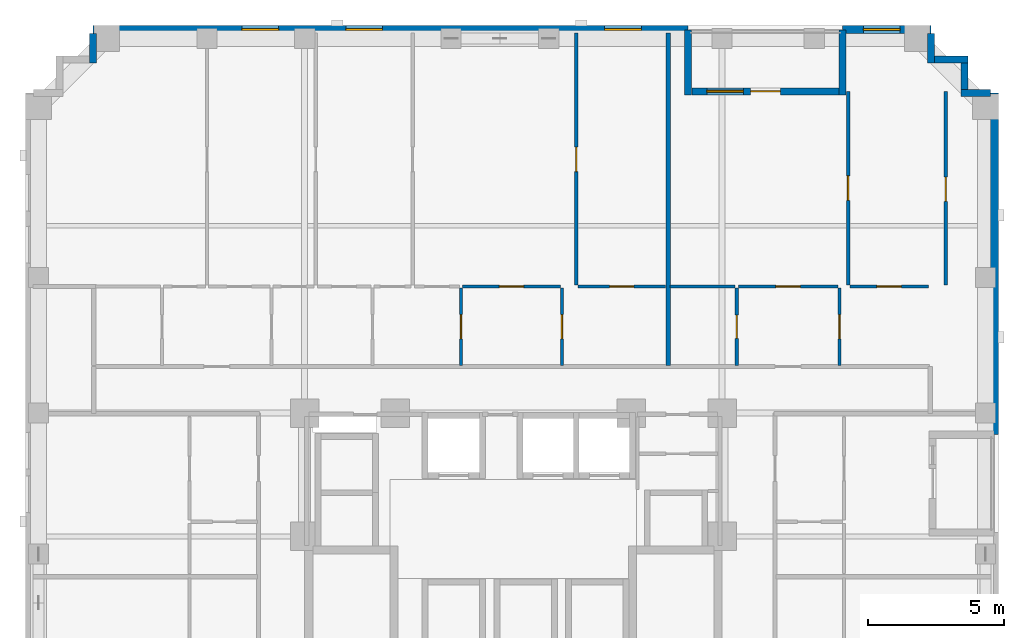
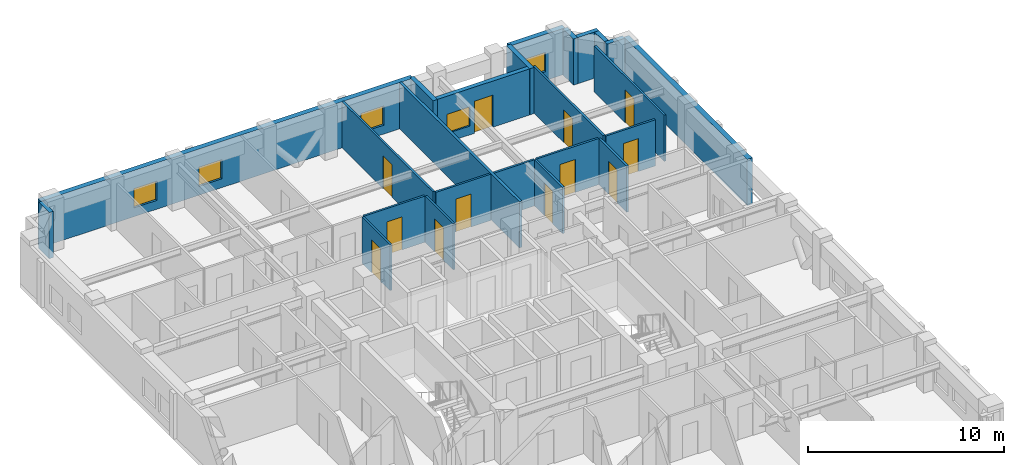
# One storey, part 8 of 12: 24 walls, 12 doors, 5 windows, 17 openings.
"""IFC4 building model written with IfcOpenShell, lengths in metres."""

from ifc_helpers import new_model, si_unit, derived_unit, direction, frame, frame_2d, origin, place, context, subcontext, project, spatial, rectangle, extrude, material, layer, layer_set, type_object, element, fill, save


model = new_model("IFC4")

# Units and contexts
model_context = context("Model", 3, precision=1e-05, world=origin(), true_north=direction((0.0, 1.0)))
body_context = subcontext(model_context, "Body", "Model", "MODEL_VIEW")
ifc_project = project(units=[si_unit("LENGTHUNIT", "METRE"), si_unit("AREAUNIT", "SQUARE_METRE"), si_unit("VOLUMEUNIT", "CUBIC_METRE"), si_unit("PLANEANGLEUNIT", "RADIAN"), si_unit("MASSUNIT", "GRAM", prefix="KILO"), derived_unit("THERMALTRANSMITTANCEUNIT", [(si_unit("MASSUNIT", "GRAM", prefix="KILO"), 1), (si_unit("TIMEUNIT", "SECOND"), -3), (si_unit("THERMODYNAMICTEMPERATUREUNIT", "KELVIN"), -1)])], contexts=[model_context])

# Site, building, storey
site_placement = place(None, origin())
site = spatial("IfcSite", under=ifc_project, at=site_placement, CompositionType="ELEMENT")
building_placement = place(site_placement, origin())
building = spatial("IfcBuilding", under=site, at=building_placement, Name="Korrvale Station Residences", CompositionType="ELEMENT")
storey_placement = place(building_placement, frame((0.0, 0.0, 116.699951171875)))
storey = spatial("IfcBuildingStorey", under=building, at=storey_placement, Name="L33", CompositionType="ELEMENT", Elevation=116.699951171875)

# Wall
ifc_material_1 = material(Name="Precast concrete C45/55", Category="concrete")
ifc_layer_1 = layer(ifc_material_1, 0.260009765625, Name="Precast concrete C45/55")
ifc_layer_set_1 = layer_set([ifc_layer_1], Name="Precast concrete C45/55")
wall_type_1 = type_object("IfcWallType", Name="WAL-EXT-LOG260", PredefinedType="SOLIDWALL", material=ifc_layer_set_1)
wall_1_placement = place(storey_placement, frame((31.949951171875, 43.139892578125, 0.0), z_axis=(0.0, 0.0, 1.0), x_axis=(0.0, -1.0, 0.0)))
element("IfcWall", 1, at=wall_1_placement, inside=storey, type_object=wall_type_1, Name="L33 Recessed Loggia Wall BAL-L33-N1-L", PredefinedType="SOLIDWALL", context=body_context, shape_type="SweptSolid", body=[
    extrude(rectangle(XDim=2.39990234375, YDim=0.260009765625, at=frame_2d((1.199951171875, 0.0))), origin(), (0.0, 0.0, 1.0), 2.880126953125),
])

# Wall, openings, door, window
wall_2_placement = place(storey_placement, frame((32.083984375, 40.8701171875, 0.0), z_axis=(0.0, 0.0, 1.0), x_axis=(1.0, 0.0, 0.0)))
wall_2 = element("IfcWall", 2, at=wall_2_placement, inside=storey, type_object=wall_type_1, Name="L33 Recessed Loggia Wall BAL-L33-N1-B", PredefinedType="SOLIDWALL", context=body_context, shape_type="SweptSolid", body=[
    extrude(rectangle(XDim=5.43212890625, YDim=0.260009765625, at=frame_2d((2.716064453125, 0.0))), origin(), (0.0, 0.0, 1.0), 2.880126953125),
])
opening_1_placement = place(wall_2_placement, frame((2.166015625, 0.0, 0.0)))
opening_1 = element("IfcOpeningElement", 3, at=opening_1_placement, cuts=wall_2, Name="Opening BD-01", PredefinedType="OPENING", context=body_context, shape_type="SweptSolid", body=[
    extrude(rectangle(XDim=1.10009765625, YDim=2.0, at=frame_2d((0.550048828125, 1.0))), frame((0.0, 0.14013671875, 0.0), z_axis=(0.0, -1.0, 0.0), x_axis=(1.0, 0.0, 0.0)), (0.0, 0.0, 1.0), 0.280029296875),
])
opening_2_placement = place(wall_2_placement, frame((0.555908203125, 0.0, 0.550048828125)))
opening_2 = element("IfcOpeningElement", 4, at=opening_2_placement, cuts=wall_2, Name="Opening W-10", PredefinedType="OPENING", context=body_context, shape_type="SweptSolid", body=[
    extrude(rectangle(XDim=1.35009765625, YDim=1.199951171875, at=frame_2d((0.675048828125, 0.60009765625))), frame((0.0, 0.14013671875, 0.0), z_axis=(0.0, -1.0, 0.0), x_axis=(1.0, 0.0, 0.0)), (0.0, 0.0, 1.0), 0.280029296875),
])
ifc_material_2 = material(Name="Exterior thermally broken aluminium glazed balcony door", Category="aluminium")
door_type_1 = type_object("IfcDoorType", Name="DR-EXT-BAL", OperationType="NOTDEFINED", PredefinedType="DOOR", material=ifc_material_2)
door_1_placement = place(opening_1_placement, origin())
door_1 = element("IfcDoor", 5, at=door_1_placement, inside=storey, type_object=door_type_1, Name="L33 Loggia Balcony Door BAL-L33-N1", OperationType="SINGLE_SWING_LEFT", OverallHeight=2.0, OverallWidth=1.10009765625, PredefinedType="DOOR", context=body_context, shape_type="SweptSolid", body=[
    extrude(rectangle(XDim=1.10009765625, YDim=2.0, at=frame_2d((0.550048828125, 1.0))), frame((0.0, 0.02490234375, 0.0), z_axis=(0.0, -1.0, 0.0), x_axis=(1.0, 0.0, 0.0)), (0.0, 0.0, 1.0), 0.050048828125),
])
fill(opening_1, door_1)
ifc_material_3 = material(Name="Thermally broken aluminium frame with triple low-e glazing", Category="aluminium")
window_type = type_object("IfcWindowType", Name="WIN-W10", PartitioningType="SINGLE_PANEL", PredefinedType="WINDOW", material=ifc_material_3)
window_1_placement = place(opening_2_placement, origin())
window_1 = element("IfcWindow", 6, at=window_1_placement, inside=storey, type_object=window_type, Name="L33 Punched Window 17", OverallHeight=1.199951171875, OverallWidth=1.35009765625, PartitioningType="SINGLE_PANEL", PredefinedType="WINDOW", context=body_context, shape_type="SweptSolid", body=[
    extrude(rectangle(XDim=1.35009765625, YDim=1.199951171875, at=frame_2d((0.675048828125, 0.60009765625))), frame((0.0, 0.030029296875, 0.0), z_axis=(0.0, -1.0, 0.0), x_axis=(1.0, 0.0, 0.0)), (0.0, 0.0, 1.0), 0.06005859375),
])
fill(opening_2, window_1)

# Walls
wall_3_placement = place(storey_placement, frame((37.64990234375, 40.739990234375, 0.0), z_axis=(0.0, 0.0, 1.0), x_axis=(0.0, 1.0, 0.0)))
element("IfcWall", 7, at=wall_3_placement, inside=storey, type_object=wall_type_1, Name="L33 Recessed Loggia Wall BAL-L33-N1-R", PredefinedType="SOLIDWALL", context=body_context, shape_type="SweptSolid", body=[
    extrude(rectangle(XDim=2.39990234375, YDim=0.260009765625, at=frame_2d((1.199951171875, 0.0))), origin(), (0.0, 0.0, 1.0), 2.880126953125),
])
for number, where, z_axis, x_axis, name in (
    (8, (10.0, 41.919921875, 0.0), (0.0, 0.0, 1.0), (0.0, 1.0, 0.0), "L33 Serrated Corner Precast Step NW-4"),
    (9, (40.89990234375, 42.998046875, 0.0), (0.0, 0.0, 1.0), (0.0, -1.0, 0.0), "L33 Serrated Corner Precast Step NE-1"),
):
    element("IfcWall", number, at=place(storey_placement, frame(where, z_axis=z_axis, x_axis=x_axis)), inside=storey, type_object=wall_type_1, Name=name, PredefinedType="SOLIDWALL", context=body_context, shape_type="SweptSolid", body=[
        extrude(rectangle(XDim=1.078125, YDim=0.260009765625, at=frame_2d((0.5390625, 0.0))), origin(), (0.0, 0.0, 1.0), 2.880126953125),
    ])
wall_4_placement = place(storey_placement, frame((41.031982421875, 42.050048828125, 0.0), z_axis=(0.0, 0.0, 1.0), x_axis=(1.0, 0.0, 0.0)))
element("IfcWall", 10, at=wall_4_placement, inside=storey, type_object=wall_type_1, Name="L33 Serrated Corner Precast Step NE-2", PredefinedType="SOLIDWALL", context=body_context, shape_type="SweptSolid", body=[
    extrude(rectangle(XDim=1.248046875, YDim=0.260009765625, at=frame_2d((0.6240234375, 0.0))), origin(), (0.0, 0.0, 1.0), 2.880126953125),
])
wall_5_placement = place(storey_placement, frame((42.14990234375, 41.91796875, 0.0), z_axis=(0.0, 0.0, 1.0), x_axis=(0.0, -1.0, 0.0)))
element("IfcWall", 11, at=wall_5_placement, inside=storey, type_object=wall_type_1, Name="L33 Serrated Corner Precast Step NE-3", PredefinedType="SOLIDWALL", context=body_context, shape_type="SweptSolid", body=[
    extrude(rectangle(XDim=0.986083984375, YDim=0.260009765625, at=frame_2d((0.4931640625, 0.0))), origin(), (0.0, 0.0, 1.0), 2.880126953125),
])
wall_6_placement = place(storey_placement, frame((42.02001953125, 40.800048828125, 0.0), z_axis=(0.0, 0.0, 1.0), x_axis=(1.0, 0.0, 0.0)))
element("IfcWall", 12, at=wall_6_placement, inside=storey, type_object=wall_type_1, Name="L33 Serrated Corner Precast Step NE-4", PredefinedType="SOLIDWALL", context=body_context, shape_type="SweptSolid", body=[
    extrude(rectangle(XDim=1.077880859375, YDim=0.260009765625, at=frame_2d((0.5390625, 0.0))), origin(), (0.0, 0.0, 1.0), 2.880126953125),
])

# Wall, openings, windows
ifc_layer_2 = layer(ifc_material_1, 0.300048828125, Name="Precast concrete C45/55")
ifc_layer_set_2 = layer_set([ifc_layer_2], Name="Precast concrete C45/55")
wall_type_2 = type_object("IfcWallType", Name="WAL-EXT-PC300", PredefinedType="SOLIDWALL", material=ifc_layer_set_2)
wall_7_placement = place(storey_placement, frame((10.0, 43.14990234375, 0.0), z_axis=(0.0, 0.0, 1.0), x_axis=(1.0, 0.0, 0.0)))
wall_7 = element("IfcWall", 13, at=wall_7_placement, inside=storey, type_object=wall_type_2, Name="L33 North Exterior Precast Wall 1", PredefinedType="SOLIDWALL", context=body_context, shape_type="SweptSolid", body=[
    extrude(rectangle(XDim=21.949951171875, YDim=0.300048828125, at=frame_2d((10.97509765625, 0.0))), origin(), (0.0, 0.0, 1.0), 2.880126953125),
])
opening_3_placement = place(wall_7_placement, frame((5.489013671875, 0.0, 0.550048828125)))
opening_3 = element("IfcOpeningElement", 14, at=opening_3_placement, cuts=wall_7, Name="Opening W-10", PredefinedType="OPENING", context=body_context, shape_type="SweptSolid", body=[
    extrude(rectangle(XDim=1.35009765625, YDim=1.199951171875, at=frame_2d((0.675048828125, 0.60009765625))), frame((0.0, 0.16015625, 0.0), z_axis=(0.0, -1.0, 0.0), x_axis=(1.0, 0.0, 0.0)), (0.0, 0.0, 1.0), 0.320068359375),
])
opening_4_placement = place(wall_7_placement, frame((9.322021484375, 0.0, 0.550048828125)))
opening_4 = element("IfcOpeningElement", 15, at=opening_4_placement, cuts=wall_7, Name="Opening W-10", PredefinedType="OPENING", context=body_context, shape_type="SweptSolid", body=[
    extrude(rectangle(XDim=1.35009765625, YDim=1.199951171875, at=frame_2d((0.675048828125, 0.60009765625))), frame((0.0, 0.16015625, 0.0), z_axis=(0.0, -1.0, 0.0), x_axis=(1.0, 0.0, 0.0)), (0.0, 0.0, 1.0), 0.320068359375),
])
opening_5_placement = place(wall_7_placement, frame((18.868896484375, 0.0, 0.550048828125)))
opening_5 = element("IfcOpeningElement", 16, at=opening_5_placement, cuts=wall_7, Name="Opening W-10", PredefinedType="OPENING", context=body_context, shape_type="SweptSolid", body=[
    extrude(rectangle(XDim=1.35009765625, YDim=1.199951171875, at=frame_2d((0.675048828125, 0.60009765625))), frame((0.0, 0.16015625, 0.0), z_axis=(0.0, -1.0, 0.0), x_axis=(1.0, 0.0, 0.0)), (0.0, 0.0, 1.0), 0.320068359375),
])
window_2_placement = place(opening_3_placement, origin())
window_2 = element("IfcWindow", 17, at=window_2_placement, inside=storey, type_object=window_type, Name="L33 Punched Window 14", OverallHeight=1.199951171875, OverallWidth=1.35009765625, PartitioningType="SINGLE_PANEL", PredefinedType="WINDOW", context=body_context, shape_type="SweptSolid", body=[
    extrude(rectangle(XDim=1.35009765625, YDim=1.199951171875, at=frame_2d((0.675048828125, 0.60009765625))), frame((0.0, 0.030029296875, 0.0), z_axis=(0.0, -1.0, 0.0), x_axis=(1.0, 0.0, 0.0)), (0.0, 0.0, 1.0), 0.06005859375),
])
fill(opening_3, window_2)
window_3_placement = place(opening_4_placement, origin())
window_3 = element("IfcWindow", 18, at=window_3_placement, inside=storey, type_object=window_type, Name="L33 Punched Window 15", OverallHeight=1.199951171875, OverallWidth=1.35009765625, PartitioningType="SINGLE_PANEL", PredefinedType="WINDOW", context=body_context, shape_type="SweptSolid", body=[
    extrude(rectangle(XDim=1.35009765625, YDim=1.199951171875, at=frame_2d((0.675048828125, 0.60009765625))), frame((0.0, 0.030029296875, 0.0), z_axis=(0.0, -1.0, 0.0), x_axis=(1.0, 0.0, 0.0)), (0.0, 0.0, 1.0), 0.06005859375),
])
fill(opening_4, window_3)
window_4_placement = place(opening_5_placement, origin())
window_4 = element("IfcWindow", 19, at=window_4_placement, inside=storey, type_object=window_type, Name="L33 Punched Window 16", OverallHeight=1.199951171875, OverallWidth=1.35009765625, PartitioningType="SINGLE_PANEL", PredefinedType="WINDOW", context=body_context, shape_type="SweptSolid", body=[
    extrude(rectangle(XDim=1.35009765625, YDim=1.199951171875, at=frame_2d((0.675048828125, 0.60009765625))), frame((0.0, 0.030029296875, 0.0), z_axis=(0.0, -1.0, 0.0), x_axis=(1.0, 0.0, 0.0)), (0.0, 0.0, 1.0), 0.06005859375),
])
fill(opening_5, window_4)

# Wall, opening, window
wall_8_placement = place(storey_placement, frame((37.64990234375, 43.14990234375, 0.0), z_axis=(0.0, 0.0, 1.0), x_axis=(1.0, 0.0, 0.0)))
wall_8 = element("IfcWall", 20, at=wall_8_placement, inside=storey, type_object=wall_type_2, Name="L33 North Exterior Precast Wall 2", PredefinedType="SOLIDWALL", context=body_context, shape_type="SweptSolid", body=[
    extrude(rectangle(XDim=3.25, YDim=0.300048828125, at=frame_2d((1.625, 0.0))), origin(), (0.0, 0.0, 1.0), 2.880126953125),
])
opening_6_placement = place(wall_8_placement, frame((0.764892578125, 0.0, 0.550048828125)))
opening_6 = element("IfcOpeningElement", 21, at=opening_6_placement, cuts=wall_8, Name="Opening W-10", PredefinedType="OPENING", context=body_context, shape_type="SweptSolid", body=[
    extrude(rectangle(XDim=1.35009765625, YDim=1.199951171875, at=frame_2d((0.675048828125, 0.60009765625))), frame((0.0, 0.16015625, 0.0), z_axis=(0.0, -1.0, 0.0), x_axis=(1.0, 0.0, 0.0)), (0.0, 0.0, 1.0), 0.320068359375),
])
window_5_placement = place(opening_6_placement, origin())
window_5 = element("IfcWindow", 22, at=window_5_placement, inside=storey, type_object=window_type, Name="L33 Punched Window 18", OverallHeight=1.199951171875, OverallWidth=1.35009765625, PartitioningType="SINGLE_PANEL", PredefinedType="WINDOW", context=body_context, shape_type="SweptSolid", body=[
    extrude(rectangle(XDim=1.35009765625, YDim=1.199951171875, at=frame_2d((0.675048828125, 0.60009765625))), frame((0.0, 0.030029296875, 0.0), z_axis=(0.0, -1.0, 0.0), x_axis=(1.0, 0.0, 0.0)), (0.0, 0.0, 1.0), 0.06005859375),
])
fill(opening_6, window_5)

# Wall
wall_9_placement = place(storey_placement, frame((43.25, 40.800048828125, 0.0), z_axis=(0.0, 0.0, 1.0), x_axis=(0.0, -1.0, 0.0)))
element("IfcWall", 23, at=wall_9_placement, inside=storey, type_object=wall_type_2, Name="L33 East Exterior Precast Wall 1", PredefinedType="SOLIDWALL", context=body_context, shape_type="SweptSolid", body=[
    extrude(rectangle(XDim=12.60009765625, YDim=0.300048828125, at=frame_2d((6.300048828125, 0.0))), origin(), (0.0, 0.0, 1.0), 2.880126953125),
])

# Wall, opening, door
ifc_material_4 = material(Name="Acoustic steel-stud gypsum board partition", Category="steel")
ifc_layer_3 = layer(ifc_material_4, 0.1201171875, Name="Acoustic steel-stud gypsum board partition")
ifc_layer_set_3 = layer_set([ifc_layer_3], Name="Acoustic steel-stud gypsum board partition")
wall_type_3 = type_object("IfcWallType", Name="WAL-PART-125", PredefinedType="PARTITIONING", material=ifc_layer_set_3)
wall_10_placement = place(storey_placement, frame((23.570068359375, 30.760009765625, 0.0), z_axis=(0.0, 0.0, 1.0), x_axis=(0.0, 1.0, 0.0)))
wall_10 = element("IfcWall", 24, at=wall_10_placement, inside=storey, type_object=wall_type_3, Name="L33 Suite Partition U03-V34", PredefinedType="PARTITIONING", context=body_context, shape_type="SweptSolid", body=[
    extrude(rectangle(XDim=2.85009765625, YDim=0.1201171875, at=frame_2d((1.425048828125, 0.0))), origin(), (0.0, 0.0, 1.0), 2.880126953125),
])
opening_7_placement = place(wall_10_placement, frame((0.97509765625, 0.0, 0.0)))
opening_7 = element("IfcOpeningElement", 25, at=opening_7_placement, cuts=wall_10, Name="Opening DI-900", PredefinedType="OPENING", context=body_context, shape_type="SweptSolid", body=[
    extrude(rectangle(XDim=0.89990234375, YDim=2.050048828125, at=frame_2d((0.449951171875, 1.02490234375))), frame((0.0, 0.070068359375, 0.0), z_axis=(0.0, -1.0, 0.0), x_axis=(1.0, 0.0, 0.0)), (0.0, 0.0, 1.0), 0.14013671875),
])
ifc_material_5 = material(Name="Painted solid-core timber interior room door", Category="wood")
door_type_2 = type_object("IfcDoorType", Name="DR-INT-900", OperationType="NOTDEFINED", PredefinedType="DOOR", material=ifc_material_5)
door_2_placement = place(opening_7_placement, origin())
door_2 = element("IfcDoor", 26, at=door_2_placement, inside=storey, type_object=door_type_2, Name="L33 Apartment 1BR L33-U03 Storage Closet 2 Door", OperationType="SINGLE_SWING_LEFT", OverallHeight=2.050048828125, OverallWidth=0.89990234375, PredefinedType="DOOR", context=body_context, shape_type="SweptSolid", body=[
    extrude(rectangle(XDim=0.89990234375, YDim=2.050048828125, at=frame_2d((0.449951171875, 1.02490234375))), frame((0.0, 0.02490234375, 0.0), z_axis=(0.0, -1.0, 0.0), x_axis=(1.0, 0.0, 0.0)), (0.0, 0.0, 1.0), 0.050048828125),
])
fill(opening_7, door_2)

wall_11_placement = place(storey_placement, frame((27.2900390625, 30.760009765625, 0.0), z_axis=(0.0, 0.0, 1.0), x_axis=(0.0, 1.0, 0.0)))
wall_11 = element("IfcWall", 27, at=wall_11_placement, inside=storey, type_object=wall_type_3, Name="L33 Suite Partition U03-V45", PredefinedType="PARTITIONING", context=body_context, shape_type="SweptSolid", body=[
    extrude(rectangle(XDim=2.85009765625, YDim=0.1201171875, at=frame_2d((1.425048828125, 0.0))), origin(), (0.0, 0.0, 1.0), 2.880126953125),
])
opening_8_placement = place(wall_11_placement, frame((0.97509765625, 0.0, 0.0)))
opening_8 = element("IfcOpeningElement", 28, at=opening_8_placement, cuts=wall_11, Name="Opening DI-900", PredefinedType="OPENING", context=body_context, shape_type="SweptSolid", body=[
    extrude(rectangle(XDim=0.89990234375, YDim=2.050048828125, at=frame_2d((0.449951171875, 1.02490234375))), frame((0.0, 0.070068359375, 0.0), z_axis=(0.0, -1.0, 0.0), x_axis=(1.0, 0.0, 0.0)), (0.0, 0.0, 1.0), 0.14013671875),
])
door_3_placement = place(opening_8_placement, origin())
door_3 = element("IfcDoor", 29, at=door_3_placement, inside=storey, type_object=door_type_2, Name="L33 Apartment 1BR L33-U03 Storage Closet 3 Door", OperationType="SINGLE_SWING_RIGHT", OverallHeight=2.050048828125, OverallWidth=0.89990234375, PredefinedType="DOOR", context=body_context, shape_type="SweptSolid", body=[
    extrude(rectangle(XDim=0.89990234375, YDim=2.050048828125, at=frame_2d((0.449951171875, 1.02490234375))), frame((0.0, 0.02490234375, 0.0), z_axis=(0.0, -1.0, 0.0), x_axis=(1.0, 0.0, 0.0)), (0.0, 0.0, 1.0), 0.050048828125),
])
fill(opening_8, door_3)

wall_12_placement = place(storey_placement, frame((23.6298828125, 33.669921875, 0.0), z_axis=(0.0, 0.0, 1.0), x_axis=(1.0, 0.0, 0.0)))
wall_12 = element("IfcWall", 30, at=wall_12_placement, inside=storey, type_object=wall_type_3, Name="L33 Suite Partition U03-H49", PredefinedType="PARTITIONING", context=body_context, shape_type="SweptSolid", body=[
    extrude(rectangle(XDim=3.60009765625, YDim=0.1201171875, at=frame_2d((1.800048828125, 0.0))), origin(), (0.0, 0.0, 1.0), 2.880126953125),
])
opening_9_placement = place(wall_12_placement, frame((1.35009765625, 0.0, 0.0)))
opening_9 = element("IfcOpeningElement", 31, at=opening_9_placement, cuts=wall_12, Name="Opening DI-900", PredefinedType="OPENING", context=body_context, shape_type="SweptSolid", body=[
    extrude(rectangle(XDim=0.89990234375, YDim=2.050048828125, at=frame_2d((0.449951171875, 1.02490234375))), frame((0.0, 0.070068359375, 0.0), z_axis=(0.0, -1.0, 0.0), x_axis=(1.0, 0.0, 0.0)), (0.0, 0.0, 1.0), 0.14013671875),
])
door_4_placement = place(opening_9_placement, origin())
door_4 = element("IfcDoor", 32, at=door_4_placement, inside=storey, type_object=door_type_2, Name="L33 Apartment 1BR L33-U03 Storage Closet 3 Door", OperationType="SINGLE_SWING_LEFT", OverallHeight=2.050048828125, OverallWidth=0.89990234375, PredefinedType="DOOR", context=body_context, shape_type="SweptSolid", body=[
    extrude(rectangle(XDim=0.89990234375, YDim=2.050048828125, at=frame_2d((0.449951171875, 1.02490234375))), frame((0.0, 0.02490234375, 0.0), z_axis=(0.0, -1.0, 0.0), x_axis=(1.0, 0.0, 0.0)), (0.0, 0.0, 1.0), 0.050048828125),
])
fill(opening_9, door_4)

wall_13_placement = place(storey_placement, frame((27.8798828125, 33.669921875, 0.0), z_axis=(0.0, 0.0, 1.0), x_axis=(1.0, 0.0, 0.0)))
wall_13 = element("IfcWall", 33, at=wall_13_placement, inside=storey, type_object=wall_type_3, Name="L33 Suite Partition U03-H510", PredefinedType="PARTITIONING", context=body_context, shape_type="SweptSolid", body=[
    extrude(rectangle(XDim=3.240234375, YDim=0.1201171875, at=frame_2d((1.6201171875, 0.0))), origin(), (0.0, 0.0, 1.0), 2.880126953125),
])
opening_10_placement = place(wall_13_placement, frame((1.169921875, 0.0, 0.0)))
opening_10 = element("IfcOpeningElement", 34, at=opening_10_placement, cuts=wall_13, Name="Opening DI-900", PredefinedType="OPENING", context=body_context, shape_type="SweptSolid", body=[
    extrude(rectangle(XDim=0.89990234375, YDim=2.050048828125, at=frame_2d((0.449951171875, 1.02490234375))), frame((0.0, 0.070068359375, 0.0), z_axis=(0.0, -1.0, 0.0), x_axis=(1.0, 0.0, 0.0)), (0.0, 0.0, 1.0), 0.14013671875),
])
door_5_placement = place(opening_10_placement, origin())
door_5 = element("IfcDoor", 35, at=door_5_placement, inside=storey, type_object=door_type_2, Name="L33 Apartment 1BR L33-U03 Storage Closet 4 Door", OperationType="SINGLE_SWING_RIGHT", OverallHeight=2.050048828125, OverallWidth=0.89990234375, PredefinedType="DOOR", context=body_context, shape_type="SweptSolid", body=[
    extrude(rectangle(XDim=0.89990234375, YDim=2.050048828125, at=frame_2d((0.449951171875, 1.02490234375))), frame((0.0, 0.02490234375, 0.0), z_axis=(0.0, -1.0, 0.0), x_axis=(1.0, 0.0, 0.0)), (0.0, 0.0, 1.0), 0.050048828125),
])
fill(opening_10, door_5)

wall_14_placement = place(storey_placement, frame((27.820068359375, 33.72998046875, 0.0), z_axis=(0.0, 0.0, 1.0), x_axis=(0.0, 1.0, 0.0)))
wall_14 = element("IfcWall", 36, at=wall_14_placement, inside=storey, type_object=wall_type_3, Name="L33 Suite Partition U03-V910", PredefinedType="PARTITIONING", context=body_context, shape_type="SweptSolid", body=[
    extrude(rectangle(XDim=9.2900390625, YDim=0.1201171875, at=frame_2d((4.64501953125, 0.0))), origin(), (0.0, 0.0, 1.0), 2.880126953125),
])
opening_11_placement = place(wall_14_placement, frame((4.179931640625, 0.0, 0.0)))
opening_11 = element("IfcOpeningElement", 37, at=opening_11_placement, cuts=wall_14, Name="Opening DI-900", PredefinedType="OPENING", context=body_context, shape_type="SweptSolid", body=[
    extrude(rectangle(XDim=0.89990234375, YDim=2.050048828125, at=frame_2d((0.449951171875, 1.02490234375))), frame((0.0, 0.070068359375, 0.0), z_axis=(0.0, -1.0, 0.0), x_axis=(1.0, 0.0, 0.0)), (0.0, 0.0, 1.0), 0.14013671875),
])
door_6_placement = place(opening_11_placement, origin())
door_6 = element("IfcDoor", 38, at=door_6_placement, inside=storey, type_object=door_type_2, Name="L33 Apartment 1BR L33-U03 Wardrobe Storage Room Door", OperationType="SINGLE_SWING_RIGHT", OverallHeight=2.050048828125, OverallWidth=0.89990234375, PredefinedType="DOOR", context=body_context, shape_type="SweptSolid", body=[
    extrude(rectangle(XDim=0.89990234375, YDim=2.050048828125, at=frame_2d((0.449951171875, 1.02490234375))), frame((0.0, 0.02490234375, 0.0), z_axis=(0.0, -1.0, 0.0), x_axis=(1.0, 0.0, 0.0)), (0.0, 0.0, 1.0), 0.050048828125),
])
fill(opening_11, door_6)

wall_15_placement = place(storey_placement, frame((33.739990234375, 30.760009765625, 0.0), z_axis=(0.0, 0.0, 1.0), x_axis=(0.0, 1.0, 0.0)))
wall_15 = element("IfcWall", 39, at=wall_15_placement, inside=storey, type_object=wall_type_3, Name="L33 Suite Partition U04-V01", PredefinedType="PARTITIONING", context=body_context, shape_type="SweptSolid", body=[
    extrude(rectangle(XDim=2.85009765625, YDim=0.1201171875, at=frame_2d((1.425048828125, 0.0))), origin(), (0.0, 0.0, 1.0), 2.880126953125),
])
opening_12_placement = place(wall_15_placement, frame((0.9951171875, 0.0, 0.0)))
opening_12 = element("IfcOpeningElement", 40, at=opening_12_placement, cuts=wall_15, Name="Opening DB-860", PredefinedType="OPENING", context=body_context, shape_type="SweptSolid", body=[
    extrude(rectangle(XDim=0.860107421875, YDim=2.050048828125, at=frame_2d((0.43017578125, 1.02490234375))), frame((0.0, 0.070068359375, 0.0), z_axis=(0.0, -1.0, 0.0), x_axis=(1.0, 0.0, 0.0)), (0.0, 0.0, 1.0), 0.14013671875),
])
ifc_material_6 = material(Name="Moisture-resistant solid-core bathroom door", Category="timber")
door_type_3 = type_object("IfcDoorType", Name="DR-BATH-860", OperationType="NOTDEFINED", PredefinedType="DOOR", material=ifc_material_6)
door_7_placement = place(opening_12_placement, origin())
door_7 = element("IfcDoor", 41, at=door_7_placement, inside=storey, type_object=door_type_3, Name="L33 Apartment 1BR L33-U04 Bathroom Door", OperationType="SINGLE_SWING_LEFT", OverallHeight=2.050048828125, OverallWidth=0.860107421875, PredefinedType="DOOR", context=body_context, shape_type="SweptSolid", body=[
    extrude(rectangle(XDim=0.860107421875, YDim=2.050048828125, at=frame_2d((0.43017578125, 1.02490234375))), frame((0.0, 0.02490234375, 0.0), z_axis=(0.0, -1.0, 0.0), x_axis=(1.0, 0.0, 0.0)), (0.0, 0.0, 1.0), 0.050048828125),
])
fill(opening_12, door_7)

# Wall
wall_16_placement = place(storey_placement, frame((31.280029296875, 33.669921875, 0.0), z_axis=(0.0, 0.0, 1.0), x_axis=(1.0, 0.0, 0.0)))
element("IfcWall", 42, at=wall_16_placement, inside=storey, type_object=wall_type_3, Name="L33 Suite Partition U04-H03", PredefinedType="PARTITIONING", context=body_context, shape_type="SweptSolid", body=[
    extrude(rectangle(XDim=2.39990234375, YDim=0.1201171875, at=frame_2d((1.199951171875, 0.0))), origin(), (0.0, 0.0, 1.0), 2.880126953125),
])

# Wall, opening, door
wall_17_placement = place(storey_placement, frame((37.530029296875, 30.760009765625, 0.0), z_axis=(0.0, 0.0, 1.0), x_axis=(0.0, 1.0, 0.0)))
wall_17 = element("IfcWall", 43, at=wall_17_placement, inside=storey, type_object=wall_type_3, Name="L33 Suite Partition U04-V12", PredefinedType="PARTITIONING", context=body_context, shape_type="SweptSolid", body=[
    extrude(rectangle(XDim=2.85009765625, YDim=0.1201171875, at=frame_2d((1.425048828125, 0.0))), origin(), (0.0, 0.0, 1.0), 2.880126953125),
])
opening_13_placement = place(wall_17_placement, frame((0.97509765625, 0.0, 0.0)))
opening_13 = element("IfcOpeningElement", 44, at=opening_13_placement, cuts=wall_17, Name="Opening DI-900", PredefinedType="OPENING", context=body_context, shape_type="SweptSolid", body=[
    extrude(rectangle(XDim=0.89990234375, YDim=2.050048828125, at=frame_2d((0.449951171875, 1.02490234375))), frame((0.0, 0.070068359375, 0.0), z_axis=(0.0, -1.0, 0.0), x_axis=(1.0, 0.0, 0.0)), (0.0, 0.0, 1.0), 0.14013671875),
])
door_8_placement = place(opening_13_placement, origin())
door_8 = element("IfcDoor", 45, at=door_8_placement, inside=storey, type_object=door_type_2, Name="L33 Apartment 1BR L33-U04 Kitchen Door", OperationType="SINGLE_SWING_RIGHT", OverallHeight=2.050048828125, OverallWidth=0.89990234375, PredefinedType="DOOR", context=body_context, shape_type="SweptSolid", body=[
    extrude(rectangle(XDim=0.89990234375, YDim=2.050048828125, at=frame_2d((0.449951171875, 1.02490234375))), frame((0.0, 0.02490234375, 0.0), z_axis=(0.0, -1.0, 0.0), x_axis=(1.0, 0.0, 0.0)), (0.0, 0.0, 1.0), 0.050048828125),
])
fill(opening_13, door_8)

wall_18_placement = place(storey_placement, frame((33.800048828125, 33.669921875, 0.0), z_axis=(0.0, 0.0, 1.0), x_axis=(1.0, 0.0, 0.0)))
wall_18 = element("IfcWall", 46, at=wall_18_placement, inside=storey, type_object=wall_type_3, Name="L33 Suite Partition U04-H13", PredefinedType="PARTITIONING", context=body_context, shape_type="SweptSolid", body=[
    extrude(rectangle(XDim=3.669921875, YDim=0.1201171875, at=frame_2d((1.8349609375, 0.0))), origin(), (0.0, 0.0, 1.0), 2.880126953125),
])
opening_14_placement = place(wall_18_placement, frame((1.385009765625, 0.0, 0.0)))
opening_14 = element("IfcOpeningElement", 47, at=opening_14_placement, cuts=wall_18, Name="Opening DI-900", PredefinedType="OPENING", context=body_context, shape_type="SweptSolid", body=[
    extrude(rectangle(XDim=0.89990234375, YDim=2.050048828125, at=frame_2d((0.449951171875, 1.02490234375))), frame((0.0, 0.070068359375, 0.0), z_axis=(0.0, -1.0, 0.0), x_axis=(1.0, 0.0, 0.0)), (0.0, 0.0, 1.0), 0.14013671875),
])
door_9_placement = place(opening_14_placement, origin())
door_9 = element("IfcDoor", 48, at=door_9_placement, inside=storey, type_object=door_type_2, Name="L33 Apartment 1BR L33-U04 Kitchen Door", OperationType="SINGLE_SWING_LEFT", OverallHeight=2.050048828125, OverallWidth=0.89990234375, PredefinedType="DOOR", context=body_context, shape_type="SweptSolid", body=[
    extrude(rectangle(XDim=0.89990234375, YDim=2.050048828125, at=frame_2d((0.449951171875, 1.02490234375))), frame((0.0, 0.02490234375, 0.0), z_axis=(0.0, -1.0, 0.0), x_axis=(1.0, 0.0, 0.0)), (0.0, 0.0, 1.0), 0.050048828125),
])
fill(opening_14, door_9)

wall_19_placement = place(storey_placement, frame((37.909912109375, 33.669921875, 0.0), z_axis=(0.0, 0.0, 1.0), x_axis=(1.0, 0.0, 0.0)))
wall_19 = element("IfcWall", 49, at=wall_19_placement, inside=storey, type_object=wall_type_3, Name="L33 Suite Partition U04-H24", PredefinedType="PARTITIONING", context=body_context, shape_type="SweptSolid", body=[
    extrude(rectangle(XDim=2.91015625, YDim=0.1201171875, at=frame_2d((1.455078125, 0.0))), origin(), (0.0, 0.0, 1.0), 2.880126953125),
])
opening_15_placement = place(wall_19_placement, frame((1.0048828125, 0.0, 0.0)))
opening_15 = element("IfcOpeningElement", 50, at=opening_15_placement, cuts=wall_19, Name="Opening DI-900", PredefinedType="OPENING", context=body_context, shape_type="SweptSolid", body=[
    extrude(rectangle(XDim=0.89990234375, YDim=2.050048828125, at=frame_2d((0.449951171875, 1.02490234375))), frame((0.0, 0.070068359375, 0.0), z_axis=(0.0, -1.0, 0.0), x_axis=(1.0, 0.0, 0.0)), (0.0, 0.0, 1.0), 0.14013671875),
])
door_10_placement = place(opening_15_placement, origin())
door_10 = element("IfcDoor", 51, at=door_10_placement, inside=storey, type_object=door_type_2, Name="L33 Apartment 1BR L33-U04 Utility and Laundry Room Door", OperationType="SINGLE_SWING_RIGHT", OverallHeight=2.050048828125, OverallWidth=0.89990234375, PredefinedType="DOOR", context=body_context, shape_type="SweptSolid", body=[
    extrude(rectangle(XDim=0.89990234375, YDim=2.050048828125, at=frame_2d((0.449951171875, 1.02490234375))), frame((0.0, 0.02490234375, 0.0), z_axis=(0.0, -1.0, 0.0), x_axis=(1.0, 0.0, 0.0)), (0.0, 0.0, 1.0), 0.050048828125),
])
fill(opening_15, door_10)

wall_20_placement = place(storey_placement, frame((37.85009765625, 33.72998046875, 0.0), z_axis=(0.0, 0.0, 1.0), x_axis=(0.0, 1.0, 0.0)))
wall_20 = element("IfcWall", 52, at=wall_20_placement, inside=storey, type_object=wall_type_3, Name="L33 Suite Partition U04-V34", PredefinedType="PARTITIONING", context=body_context, shape_type="SweptSolid", body=[
    extrude(rectangle(XDim=7.14013671875, YDim=0.1201171875, at=frame_2d((3.570068359375, 0.0))), origin(), (0.0, 0.0, 1.0), 2.880126953125),
])
opening_16_placement = place(wall_20_placement, frame((3.1201171875, 0.0, 0.0)))
opening_16 = element("IfcOpeningElement", 53, at=opening_16_placement, cuts=wall_20, Name="Opening DI-900", PredefinedType="OPENING", context=body_context, shape_type="SweptSolid", body=[
    extrude(rectangle(XDim=0.89990234375, YDim=2.050048828125, at=frame_2d((0.449951171875, 1.02490234375))), frame((0.0, 0.070068359375, 0.0), z_axis=(0.0, -1.0, 0.0), x_axis=(1.0, 0.0, 0.0)), (0.0, 0.0, 1.0), 0.14013671875),
])
door_11_placement = place(opening_16_placement, origin())
door_11 = element("IfcDoor", 54, at=door_11_placement, inside=storey, type_object=door_type_2, Name="L33 Apartment 1BR L33-U04 Living and Dining Room Door", OperationType="SINGLE_SWING_LEFT", OverallHeight=2.050048828125, OverallWidth=0.89990234375, PredefinedType="DOOR", context=body_context, shape_type="SweptSolid", body=[
    extrude(rectangle(XDim=0.89990234375, YDim=2.050048828125, at=frame_2d((0.449951171875, 1.02490234375))), frame((0.0, 0.02490234375, 0.0), z_axis=(0.0, -1.0, 0.0), x_axis=(1.0, 0.0, 0.0)), (0.0, 0.0, 1.0), 0.050048828125),
])
fill(opening_16, door_11)

wall_21_placement = place(storey_placement, frame((41.449951171875, 33.72998046875, 0.0), z_axis=(0.0, 0.0, 1.0), x_axis=(0.0, 1.0, 0.0)))
wall_21 = element("IfcWall", 55, at=wall_21_placement, inside=storey, type_object=wall_type_3, Name="L33 Suite Partition U04-V45", PredefinedType="PARTITIONING", context=body_context, shape_type="SweptSolid", body=[
    extrude(rectangle(XDim=7.14013671875, YDim=0.1201171875, at=frame_2d((3.570068359375, 0.0))), origin(), (0.0, 0.0, 1.0), 2.880126953125),
])
opening_17_placement = place(wall_21_placement, frame((3.074951171875, 0.0, 0.0)))
opening_17 = element("IfcOpeningElement", 56, at=opening_17_placement, cuts=wall_21, Name="Opening DI-900", PredefinedType="OPENING", context=body_context, shape_type="SweptSolid", body=[
    extrude(rectangle(XDim=0.89990234375, YDim=2.050048828125, at=frame_2d((0.449951171875, 1.02490234375))), frame((0.0, 0.070068359375, 0.0), z_axis=(0.0, -1.0, 0.0), x_axis=(1.0, 0.0, 0.0)), (0.0, 0.0, 1.0), 0.14013671875),
])
door_12_placement = place(opening_17_placement, origin())
door_12 = element("IfcDoor", 57, at=door_12_placement, inside=storey, type_object=door_type_2, Name="L33 Apartment 1BR L33-U04 Bedroom 1 Door", OperationType="SINGLE_SWING_RIGHT", OverallHeight=2.050048828125, OverallWidth=0.89990234375, PredefinedType="DOOR", context=body_context, shape_type="SweptSolid", body=[
    extrude(rectangle(XDim=0.89990234375, YDim=2.050048828125, at=frame_2d((0.449951171875, 1.02490234375))), frame((0.0, 0.02490234375, 0.0), z_axis=(0.0, -1.0, 0.0), x_axis=(1.0, 0.0, 0.0)), (0.0, 0.0, 1.0), 0.050048828125),
])
fill(opening_17, door_12)

# Wall
ifc_material_7 = material(Name="Fire-rated twin-stud gypsum and mineral wool shaftwall assembly", Category="gypsum")
ifc_layer_4 = layer(ifc_material_7, 0.159912109375, Name="Fire-rated twin-stud gypsum and mineral wool shaftwall assembly")
ifc_layer_set_4 = layer_set([ifc_layer_4], Name="Fire-rated twin-stud gypsum and mineral wool shaftwall assembly")
wall_type_4 = type_object("IfcWallType", Name="WAL-PART-200", PredefinedType="PARTITIONING", material=ifc_layer_set_4)
wall_22_placement = place(storey_placement, frame((31.219970703125, 30.760009765625, 0.0), z_axis=(0.0, 0.0, 1.0), x_axis=(0.0, 1.0, 0.0)))
element("IfcWall", 58, at=wall_22_placement, inside=storey, type_object=wall_type_4, Name="L33 Demising Wall U04-W", PredefinedType="PARTITIONING", context=body_context, shape_type="SweptSolid", body=[
    extrude(rectangle(XDim=12.260009765625, YDim=0.159912109375, at=frame_2d((6.1298828125, 0.0))), origin(), (0.0, 0.0, 1.0), 2.880126953125),
])

save(model, "model.ifc")
